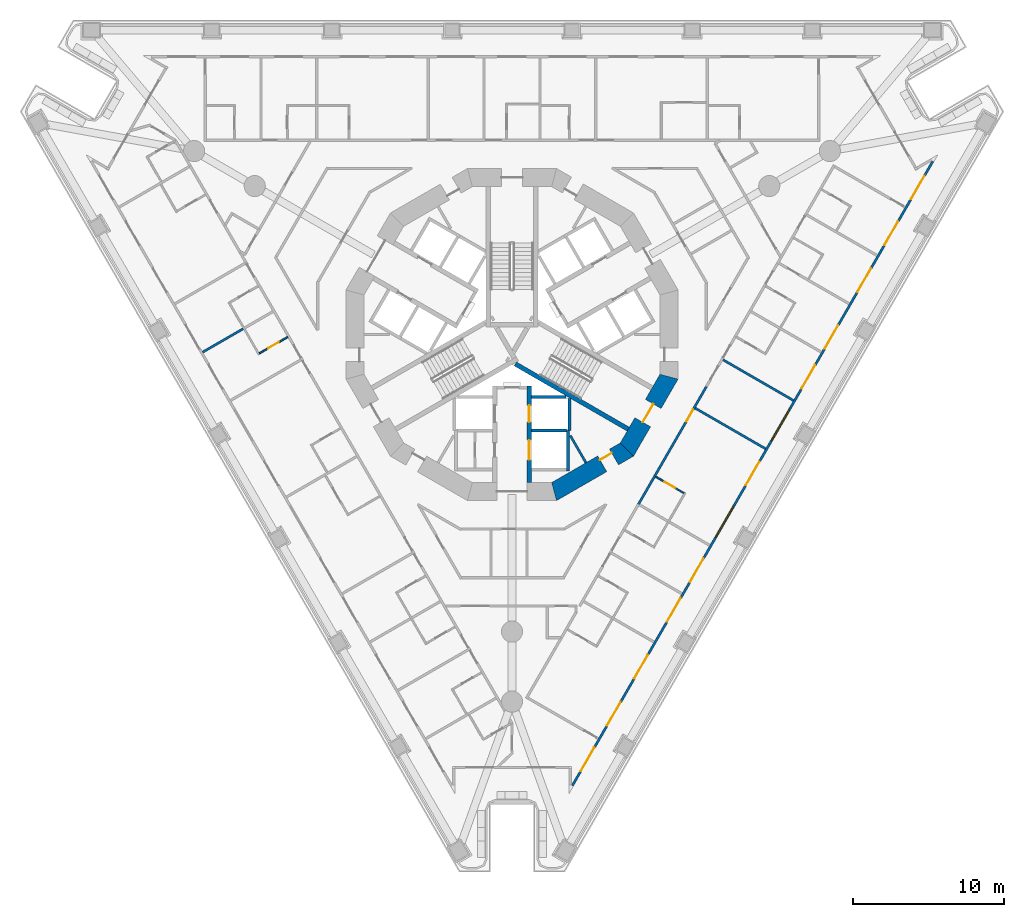
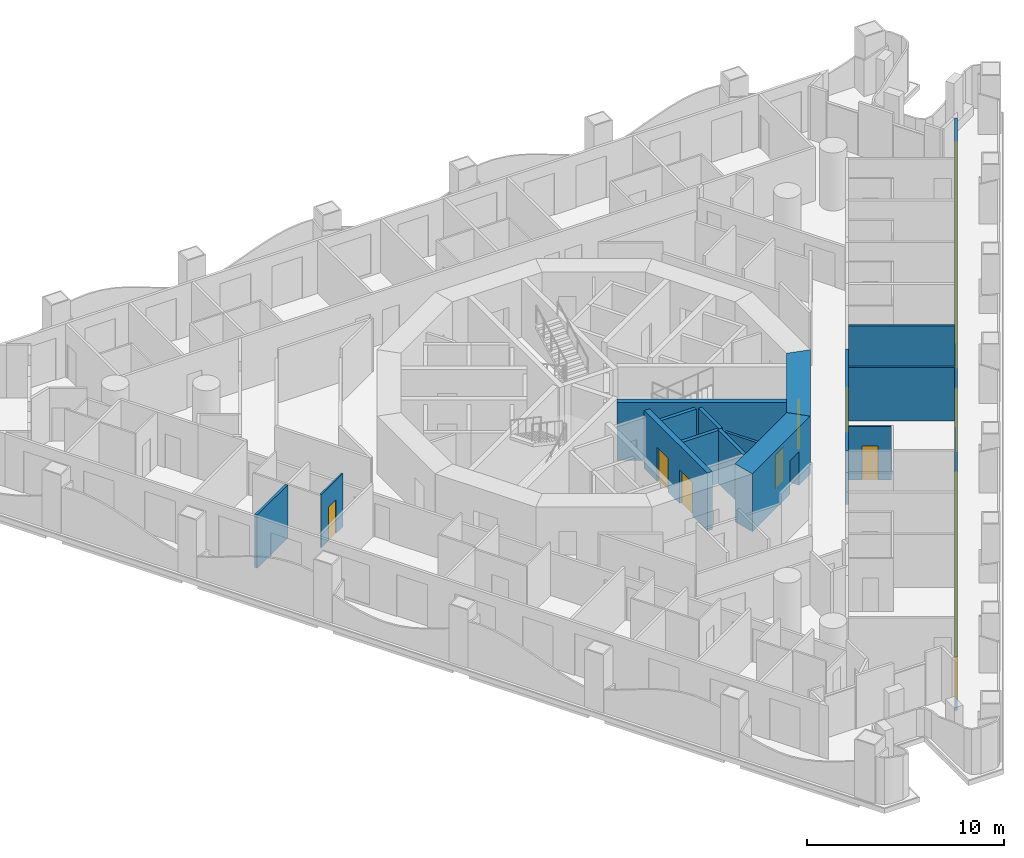
# One storey, part 5 of 20: 18 doors, 16 walls, 2 windows, 20 openings.
"""IFC4 building model written with IfcOpenShell, lengths in metres."""

from ifc_helpers import new_model, si_unit, direction, frame, frame_2d, origin, place, context, subcontext, project, spatial, polyline, rectangle, outline, extrude, material, layer, layer_set, type_object, element, fill, save


model = new_model("IFC4")

# Units and contexts
model_context = context("Model", 3, precision=1e-05, world=origin(), true_north=direction((0.0, 1.0)))
body_context = subcontext(model_context, "Body", "Model", "MODEL_VIEW")
ifc_project = project(units=[si_unit("LENGTHUNIT", "METRE"), si_unit("AREAUNIT", "SQUARE_METRE"), si_unit("VOLUMEUNIT", "CUBIC_METRE"), si_unit("PLANEANGLEUNIT", "RADIAN"), si_unit("MASSUNIT", "GRAM", prefix="KILO")], contexts=[model_context])

# Site, building, storey
site_placement = place(None, origin())
site = spatial("IfcSite", under=ifc_project, at=site_placement, CompositionType="ELEMENT")
building_placement = place(site_placement, origin())
building = spatial("IfcBuilding", under=site, at=building_placement, Name="Trine Commons Tower", CompositionType="ELEMENT")
storey_placement = place(building_placement, frame((0.0, 0.0, 35.10009765625)))
storey = spatial("IfcBuildingStorey", under=building, at=storey_placement, Name="L07", CompositionType="ELEMENT", Elevation=35.10009765625)

# Wall
ifc_material_1 = material(Name="Plasterboard partition on steel studs", Category="steel")
ifc_layer_1 = layer(ifc_material_1, 0.14990234375)
ifc_layer_set_1 = layer_set([ifc_layer_1], Name="Plasterboard partition on steel studs")
wall_type_1 = type_object("IfcWallType", Name="Core room partition 150 mm, EI 60", PredefinedType="PARTITIONING", material=ifc_layer_set_1)
wall_1_placement = place(storey_placement, frame((84.905029296875, 54.0029296875, 0.0), z_axis=(0.0, 0.0, 1.0), x_axis=(-0.5000780968, 0.865980309881, 0.0)))
element("IfcWall", 1, at=wall_1_placement, inside=storey, type_object=wall_type_1, Name="Core room partition L07", PredefinedType="PARTITIONING", context=body_context, shape_type="SweptSolid", body=[
    extrude(rectangle(XDim=2.079833984375, YDim=0.14990234375, at=frame_2d((1.0400390625, 0.0))), origin(), (0.0, 0.0, 1.0), 3.2998046875),
])

# Wall, openings, windows, doors
ifc_material_2 = material(Name="Aluminium-framed insulated wall panel", Category="aluminium")
ifc_layer_2 = layer(ifc_material_2, 0.14990234375)
ifc_layer_set_2 = layer_set([ifc_layer_2], Name="Aluminium-framed insulated wall panel")
wall_type_2 = type_object("IfcWallType", Name="Glazed frame wall 150, EI 60", PredefinedType="SOLIDWALL", material=ifc_layer_set_2)
wall_2_placement = place(storey_placement, frame((107.973388671875, 74.112060546875, 0.0), z_axis=(0.0, 0.0, 1.0), x_axis=(-0.499998600735, -0.866026211649, 0.0)))
wall_2 = element("IfcWall", 2, at=wall_2_placement, inside=storey, type_object=wall_type_2, Name="Glazed frame wall F2", PredefinedType="SOLIDWALL", context=body_context, shape_type="SweptSolid", body=[
    extrude(outline(polyline([(0.1494140625, 0.074951171875), (0.1494140625, -0.074951171875), (47.93701171875, -0.074951171875), (47.93701171875, 0.074951171875), (0.1494140625, 0.074951171875)])), origin(), (0.0, 0.0, 1.0), 3.2998046875),
])
opening_1_placement = place(wall_2_placement, frame((1.24951171875, 0.0, 0.0)))
opening_1 = element("IfcOpeningElement", 3, at=opening_1_placement, cuts=wall_2, Name="Opening BD-1F2-01", PredefinedType="OPENING", context=body_context, shape_type="SweptSolid", body=[
    extrude(rectangle(XDim=1.800048828125, YDim=2.60009765625, at=frame_2d((0.89990234375, 1.300048828125))), frame((0.0, 0.0849609375, 0.0), z_axis=(0.0, -1.0, 0.0), x_axis=(1.0, 0.0, 0.0)), (0.0, 0.0, 1.0), 0.169921875),
])
opening_2_placement = place(wall_2_placement, frame((4.748291015625, 0.0, 0.0)))
opening_2 = element("IfcOpeningElement", 4, at=opening_2_placement, cuts=wall_2, Name="Opening BD-1F2-02", PredefinedType="OPENING", context=body_context, shape_type="SweptSolid", body=[
    extrude(rectangle(XDim=1.800048828125, YDim=2.60009765625, at=frame_2d((0.89990234375, 1.300048828125))), frame((0.0, 0.0849609375, 0.0), z_axis=(0.0, -1.0, 0.0), x_axis=(1.0, 0.0, 0.0)), (0.0, 0.0, 1.0), 0.169921875),
])
opening_3_placement = place(wall_2_placement, frame((8.347412109375, 0.0, 0.0)))
opening_3 = element("IfcOpeningElement", 5, at=opening_3_placement, cuts=wall_2, Name="Opening BD-1F2-03", PredefinedType="OPENING", context=body_context, shape_type="SweptSolid", body=[
    extrude(rectangle(XDim=1.800048828125, YDim=2.60009765625, at=frame_2d((0.89990234375, 1.300048828125))), frame((0.0, 0.0849609375, 0.0), z_axis=(0.0, -1.0, 0.0), x_axis=(1.0, 0.0, 0.0)), (0.0, 0.0, 1.0), 0.169921875),
])
opening_4_placement = place(wall_2_placement, frame((12.69580078125, 0.0, 0.0)))
opening_4 = element("IfcOpeningElement", 6, at=opening_4_placement, cuts=wall_2, Name="Opening BD-1F2-04", PredefinedType="OPENING", context=body_context, shape_type="SweptSolid", body=[
    extrude(rectangle(XDim=1.800048828125, YDim=2.60009765625, at=frame_2d((0.89990234375, 1.300048828125))), frame((0.0, 0.0849609375, 0.0), z_axis=(0.0, -1.0, 0.0), x_axis=(1.0, 0.0, 0.0)), (0.0, 0.0, 1.0), 0.169921875),
])
opening_5_placement = place(wall_2_placement, frame((15.7451171875, 0.0, 0.0)))
opening_5 = element("IfcOpeningElement", 7, at=opening_5_placement, cuts=wall_2, Name="Opening BD-1F2-05", PredefinedType="OPENING", context=body_context, shape_type="SweptSolid", body=[
    extrude(rectangle(XDim=1.800048828125, YDim=2.60009765625, at=frame_2d((0.89990234375, 1.300048828125))), frame((0.0, 0.0849609375, 0.0), z_axis=(0.0, -1.0, 0.0), x_axis=(1.0, 0.0, 0.0)), (0.0, 0.0, 1.0), 0.169921875),
])
opening_6_placement = place(wall_2_placement, frame((19.14404296875, 0.0, 0.14990234375)))
opening_6 = element("IfcOpeningElement", 8, at=opening_6_placement, cuts=wall_2, Name="Opening W-1F2-06", PredefinedType="OPENING", context=body_context, shape_type="SweptSolid", body=[
    extrude(rectangle(XDim=2.39990234375, YDim=2.449951171875, at=frame_2d((1.199951171875, 1.22509765625))), frame((0.0, 0.0849609375, 0.0), z_axis=(0.0, -1.0, 0.0), x_axis=(1.0, 0.0, 0.0)), (0.0, 0.0, 1.0), 0.169921875),
])
opening_7_placement = place(wall_2_placement, frame((23.142822265625, 0.0, 0.0)))
opening_7 = element("IfcOpeningElement", 9, at=opening_7_placement, cuts=wall_2, Name="Opening BD-1F2-07", PredefinedType="OPENING", context=body_context, shape_type="SweptSolid", body=[
    extrude(rectangle(XDim=1.800048828125, YDim=2.60009765625, at=frame_2d((0.89990234375, 1.300048828125))), frame((0.0, 0.0849609375, 0.0), z_axis=(0.0, -1.0, 0.0), x_axis=(1.0, 0.0, 0.0)), (0.0, 0.0, 1.0), 0.169921875),
])
opening_8_placement = place(wall_2_placement, frame((26.541748046875, 0.0, 0.14990234375)))
opening_8 = element("IfcOpeningElement", 10, at=opening_8_placement, cuts=wall_2, Name="Opening W-1F2-08", PredefinedType="OPENING", context=body_context, shape_type="SweptSolid", body=[
    extrude(rectangle(XDim=2.39990234375, YDim=2.449951171875, at=frame_2d((1.199951171875, 1.22509765625))), frame((0.0, 0.0849609375, 0.0), z_axis=(0.0, -1.0, 0.0), x_axis=(1.0, 0.0, 0.0)), (0.0, 0.0, 1.0), 0.169921875),
])
opening_9_placement = place(wall_2_placement, frame((30.54052734375, 0.0, 0.0)))
opening_9 = element("IfcOpeningElement", 11, at=opening_9_placement, cuts=wall_2, Name="Opening BD-1F2-09", PredefinedType="OPENING", context=body_context, shape_type="SweptSolid", body=[
    extrude(rectangle(XDim=1.800048828125, YDim=2.60009765625, at=frame_2d((0.89990234375, 1.300048828125))), frame((0.0, 0.0849609375, 0.0), z_axis=(0.0, -1.0, 0.0), x_axis=(1.0, 0.0, 0.0)), (0.0, 0.0, 1.0), 0.169921875),
])
opening_10_placement = place(wall_2_placement, frame((33.590087890625, 0.0, 0.0)))
opening_10 = element("IfcOpeningElement", 12, at=opening_10_placement, cuts=wall_2, Name="Opening BD-1F2-10", PredefinedType="OPENING", context=body_context, shape_type="SweptSolid", body=[
    extrude(rectangle(XDim=1.800048828125, YDim=2.60009765625, at=frame_2d((0.89990234375, 1.300048828125))), frame((0.0, 0.0849609375, 0.0), z_axis=(0.0, -1.0, 0.0), x_axis=(1.0, 0.0, 0.0)), (0.0, 0.0, 1.0), 0.169921875),
])
opening_11_placement = place(wall_2_placement, frame((37.9384765625, 0.0, 0.0)))
opening_11 = element("IfcOpeningElement", 13, at=opening_11_placement, cuts=wall_2, Name="Opening BD-1F2-11", PredefinedType="OPENING", context=body_context, shape_type="SweptSolid", body=[
    extrude(rectangle(XDim=1.800048828125, YDim=2.60009765625, at=frame_2d((0.89990234375, 1.300048828125))), frame((0.0, 0.0849609375, 0.0), z_axis=(0.0, -1.0, 0.0), x_axis=(1.0, 0.0, 0.0)), (0.0, 0.0, 1.0), 0.169921875),
])
opening_12_placement = place(wall_2_placement, frame((41.537353515625, 0.0, 0.0)))
opening_12 = element("IfcOpeningElement", 14, at=opening_12_placement, cuts=wall_2, Name="Opening BD-1F2-12", PredefinedType="OPENING", context=body_context, shape_type="SweptSolid", body=[
    extrude(rectangle(XDim=1.800048828125, YDim=2.60009765625, at=frame_2d((0.89990234375, 1.300048828125))), frame((0.0, 0.0849609375, 0.0), z_axis=(0.0, -1.0, 0.0), x_axis=(1.0, 0.0, 0.0)), (0.0, 0.0, 1.0), 0.169921875),
])
opening_13_placement = place(wall_2_placement, frame((45.036376953125, 0.0, 0.0)))
opening_13 = element("IfcOpeningElement", 15, at=opening_13_placement, cuts=wall_2, Name="Opening BD-1F2-13", PredefinedType="OPENING", context=body_context, shape_type="SweptSolid", body=[
    extrude(rectangle(XDim=1.800048828125, YDim=2.60009765625, at=frame_2d((0.89990234375, 1.300048828125))), frame((0.0, 0.0849609375, 0.0), z_axis=(0.0, -1.0, 0.0), x_axis=(1.0, 0.0, 0.0)), (0.0, 0.0, 1.0), 0.169921875),
])
ifc_material_3 = material(Name="Anodised aluminium frame with double glazing", Category="aluminium")
window_type = type_object("IfcWindowType", Name="Fixed window 2400x2450", PartitioningType="SINGLE_PANEL", PredefinedType="WINDOW", material=ifc_material_3)
window_1_placement = place(opening_6_placement, origin())
window_1 = element("IfcWindow", 16, at=window_1_placement, inside=storey, type_object=window_type, Name="Window F2 6", OverallHeight=2.449951171875, OverallWidth=2.39990234375, PartitioningType="SINGLE_PANEL", PredefinedType="WINDOW", context=body_context, shape_type="SweptSolid", body=[
    extrude(rectangle(XDim=2.39990234375, YDim=2.449951171875, at=frame_2d((1.199951171875, 1.22509765625))), frame((0.0, 0.030029296875, 0.0), z_axis=(0.0, -1.0, 0.0), x_axis=(1.0, 0.0, 0.0)), (0.0, 0.0, 1.0), 0.06005859375),
])
fill(opening_6, window_1)
window_2_placement = place(opening_8_placement, origin())
window_2 = element("IfcWindow", 17, at=window_2_placement, inside=storey, type_object=window_type, Name="Window F2 8", OverallHeight=2.449951171875, OverallWidth=2.39990234375, PartitioningType="SINGLE_PANEL", PredefinedType="WINDOW", context=body_context, shape_type="SweptSolid", body=[
    extrude(rectangle(XDim=2.39990234375, YDim=2.449951171875, at=frame_2d((1.199951171875, 1.22509765625))), frame((0.0, 0.030029296875, 0.0), z_axis=(0.0, -1.0, 0.0), x_axis=(1.0, 0.0, 0.0)), (0.0, 0.0, 1.0), 0.06005859375),
])
fill(opening_8, window_2)
door_type_1 = type_object("IfcDoorType", Name="Sliding loggia door 1800x2600", OperationType="SLIDING_TO_LEFT", PredefinedType="DOOR", material=ifc_material_3)
door_1_placement = place(opening_1_placement, origin())
door_1 = element("IfcDoor", 18, at=door_1_placement, inside=storey, type_object=door_type_1, Name="Loggia door F2 1", OperationType="SLIDING_TO_LEFT", OverallHeight=2.60009765625, OverallWidth=1.800048828125, PredefinedType="DOOR", context=body_context, shape_type="SweptSolid", body=[
    extrude(rectangle(XDim=1.800048828125, YDim=2.60009765625, at=frame_2d((0.89990234375, 1.300048828125))), frame((0.0, 0.02490234375, 0.0), z_axis=(0.0, -1.0, 0.0), x_axis=(1.0, 0.0, 0.0)), (0.0, 0.0, 1.0), 0.050048828125),
])
fill(opening_1, door_1)
door_2_placement = place(opening_2_placement, origin())
door_2 = element("IfcDoor", 19, at=door_2_placement, inside=storey, type_object=door_type_1, Name="Loggia door F2 2", OperationType="SLIDING_TO_LEFT", OverallHeight=2.60009765625, OverallWidth=1.800048828125, PredefinedType="DOOR", context=body_context, shape_type="SweptSolid", body=[
    extrude(rectangle(XDim=1.800048828125, YDim=2.60009765625, at=frame_2d((0.89990234375, 1.300048828125))), frame((0.0, 0.02490234375, 0.0), z_axis=(0.0, -1.0, 0.0), x_axis=(1.0, 0.0, 0.0)), (0.0, 0.0, 1.0), 0.050048828125),
])
fill(opening_2, door_2)
door_3_placement = place(opening_3_placement, origin())
door_3 = element("IfcDoor", 20, at=door_3_placement, inside=storey, type_object=door_type_1, Name="Loggia door F2 3", OperationType="SLIDING_TO_LEFT", OverallHeight=2.60009765625, OverallWidth=1.800048828125, PredefinedType="DOOR", context=body_context, shape_type="SweptSolid", body=[
    extrude(rectangle(XDim=1.800048828125, YDim=2.60009765625, at=frame_2d((0.89990234375, 1.300048828125))), frame((0.0, 0.02490234375, 0.0), z_axis=(0.0, -1.0, 0.0), x_axis=(1.0, 0.0, 0.0)), (0.0, 0.0, 1.0), 0.050048828125),
])
fill(opening_3, door_3)
door_4_placement = place(opening_4_placement, origin())
door_4 = element("IfcDoor", 21, at=door_4_placement, inside=storey, type_object=door_type_1, Name="Loggia door F2 4", OperationType="SLIDING_TO_LEFT", OverallHeight=2.60009765625, OverallWidth=1.800048828125, PredefinedType="DOOR", context=body_context, shape_type="SweptSolid", body=[
    extrude(rectangle(XDim=1.800048828125, YDim=2.60009765625, at=frame_2d((0.89990234375, 1.300048828125))), frame((0.0, 0.02490234375, 0.0), z_axis=(0.0, -1.0, 0.0), x_axis=(1.0, 0.0, 0.0)), (0.0, 0.0, 1.0), 0.050048828125),
])
fill(opening_4, door_4)
door_5_placement = place(opening_5_placement, origin())
door_5 = element("IfcDoor", 22, at=door_5_placement, inside=storey, type_object=door_type_1, Name="Loggia door F2 5", OperationType="SLIDING_TO_LEFT", OverallHeight=2.60009765625, OverallWidth=1.800048828125, PredefinedType="DOOR", context=body_context, shape_type="SweptSolid", body=[
    extrude(rectangle(XDim=1.800048828125, YDim=2.60009765625, at=frame_2d((0.89990234375, 1.300048828125))), frame((0.0, 0.02490234375, 0.0), z_axis=(0.0, -1.0, 0.0), x_axis=(1.0, 0.0, 0.0)), (0.0, 0.0, 1.0), 0.050048828125),
])
fill(opening_5, door_5)
door_6_placement = place(opening_7_placement, origin())
door_6 = element("IfcDoor", 23, at=door_6_placement, inside=storey, type_object=door_type_1, Name="Loggia door F2 7", OperationType="SLIDING_TO_LEFT", OverallHeight=2.60009765625, OverallWidth=1.800048828125, PredefinedType="DOOR", context=body_context, shape_type="SweptSolid", body=[
    extrude(rectangle(XDim=1.800048828125, YDim=2.60009765625, at=frame_2d((0.89990234375, 1.300048828125))), frame((0.0, 0.02490234375, 0.0), z_axis=(0.0, -1.0, 0.0), x_axis=(1.0, 0.0, 0.0)), (0.0, 0.0, 1.0), 0.050048828125),
])
fill(opening_7, door_6)
door_7_placement = place(opening_9_placement, origin())
door_7 = element("IfcDoor", 24, at=door_7_placement, inside=storey, type_object=door_type_1, Name="Loggia door F2 9", OperationType="SLIDING_TO_LEFT", OverallHeight=2.60009765625, OverallWidth=1.800048828125, PredefinedType="DOOR", context=body_context, shape_type="SweptSolid", body=[
    extrude(rectangle(XDim=1.800048828125, YDim=2.60009765625, at=frame_2d((0.89990234375, 1.300048828125))), frame((0.0, 0.02490234375, 0.0), z_axis=(0.0, -1.0, 0.0), x_axis=(1.0, 0.0, 0.0)), (0.0, 0.0, 1.0), 0.050048828125),
])
fill(opening_9, door_7)
door_8_placement = place(opening_10_placement, origin())
door_8 = element("IfcDoor", 25, at=door_8_placement, inside=storey, type_object=door_type_1, Name="Loggia door F2 10", OperationType="SLIDING_TO_LEFT", OverallHeight=2.60009765625, OverallWidth=1.800048828125, PredefinedType="DOOR", context=body_context, shape_type="SweptSolid", body=[
    extrude(rectangle(XDim=1.800048828125, YDim=2.60009765625, at=frame_2d((0.89990234375, 1.300048828125))), frame((0.0, 0.02490234375, 0.0), z_axis=(0.0, -1.0, 0.0), x_axis=(1.0, 0.0, 0.0)), (0.0, 0.0, 1.0), 0.050048828125),
])
fill(opening_10, door_8)
door_9_placement = place(opening_11_placement, origin())
door_9 = element("IfcDoor", 26, at=door_9_placement, inside=storey, type_object=door_type_1, Name="Loggia door F2 11", OperationType="SLIDING_TO_LEFT", OverallHeight=2.60009765625, OverallWidth=1.800048828125, PredefinedType="DOOR", context=body_context, shape_type="SweptSolid", body=[
    extrude(rectangle(XDim=1.800048828125, YDim=2.60009765625, at=frame_2d((0.89990234375, 1.300048828125))), frame((0.0, 0.02490234375, 0.0), z_axis=(0.0, -1.0, 0.0), x_axis=(1.0, 0.0, 0.0)), (0.0, 0.0, 1.0), 0.050048828125),
])
fill(opening_11, door_9)
door_10_placement = place(opening_12_placement, origin())
door_10 = element("IfcDoor", 27, at=door_10_placement, inside=storey, type_object=door_type_1, Name="Loggia door F2 12", OperationType="SLIDING_TO_LEFT", OverallHeight=2.60009765625, OverallWidth=1.800048828125, PredefinedType="DOOR", context=body_context, shape_type="SweptSolid", body=[
    extrude(rectangle(XDim=1.800048828125, YDim=2.60009765625, at=frame_2d((0.89990234375, 1.300048828125))), frame((0.0, 0.02490234375, 0.0), z_axis=(0.0, -1.0, 0.0), x_axis=(1.0, 0.0, 0.0)), (0.0, 0.0, 1.0), 0.050048828125),
])
fill(opening_12, door_10)
door_11_placement = place(opening_13_placement, origin())
door_11 = element("IfcDoor", 28, at=door_11_placement, inside=storey, type_object=door_type_1, Name="Loggia door F2 13", OperationType="SLIDING_TO_LEFT", OverallHeight=2.60009765625, OverallWidth=1.800048828125, PredefinedType="DOOR", context=body_context, shape_type="SweptSolid", body=[
    extrude(rectangle(XDim=1.800048828125, YDim=2.60009765625, at=frame_2d((0.89990234375, 1.300048828125))), frame((0.0, 0.02490234375, 0.0), z_axis=(0.0, -1.0, 0.0), x_axis=(1.0, 0.0, 0.0)), (0.0, 0.0, 1.0), 0.050048828125),
])
fill(opening_13, door_11)

# Wall, opening, door
ifc_material_4 = material(Name="Concrete C80/95", Category="concrete")
ifc_layer_3 = layer(ifc_material_4, 1.199951171875)
ifc_layer_set_3 = layer_set([ifc_layer_3], Name="Concrete C80/95")
wall_type_3 = type_object("IfcWallType", Name="RC shear wall 1200 mm, C80/95", PredefinedType="SHEAR", material=ifc_layer_set_3)
wall_3_placement = place(storey_placement, frame((82.650390625, 52.008056640625, 0.0), z_axis=(0.0, 0.0, 1.0), x_axis=(0.866037463336, 0.499979111662, 0.0)))
wall_3 = element("IfcWall", 29, at=wall_3_placement, inside=storey, type_object=wall_type_3, Name="Core wall CWA-11 L07", PredefinedType="SHEAR", context=body_context, shape_type="SweptSolid", body=[
    extrude(outline(polyline([(0.0, -0.60009765625), (5.901123046875, -0.60009765625), (5.57958984375, 0.60009765625), (0.321533203125, 0.60009765625), (0.0, -0.60009765625)])), origin(), (0.0, 0.0, 1.0), 3.599853515625),
])
opening_14_placement = place(wall_3_placement, frame((3.849853515625, 0.0, 0.0)))
opening_14 = element("IfcOpeningElement", 30, at=opening_14_placement, cuts=wall_3, Name="Opening K06.16", PredefinedType="OPENING", context=body_context, shape_type="SweptSolid", body=[
    extrude(rectangle(XDim=0.89990234375, YDim=2.10009765625, at=frame_2d((0.449951171875, 1.050048828125))), frame((0.0, 0.60986328125, 0.0), z_axis=(0.0, -1.0, 0.0), x_axis=(1.0, 0.0, 0.0)), (0.0, 0.0, 1.0), 1.219970703125),
])
ifc_material_5 = material(Name="Steel door leaf, fire-rated", Category="steel")
door_type_2 = type_object("IfcDoorType", Name="Core room door, single leaf 900 x 2100, FD30S", OperationType="SINGLE_SWING_LEFT", PredefinedType="DOOR", material=ifc_material_5)
door_12_placement = place(opening_14_placement, origin())
door_12 = element("IfcDoor", 31, at=door_12_placement, inside=storey, type_object=door_type_2, Name="Door to Cleaner's store L07", OperationType="SINGLE_SWING_RIGHT", OverallHeight=2.10009765625, OverallWidth=0.89990234375, PredefinedType="DOOR", context=body_context, shape_type="SweptSolid", body=[
    extrude(rectangle(XDim=0.89990234375, YDim=2.10009765625, at=frame_2d((0.449951171875, 1.050048828125))), frame((0.0, 0.3251953125, 0.0), z_axis=(0.0, -1.0, 0.0), x_axis=(1.0, 0.0, 0.0)), (0.0, 0.0, 1.0), 0.050048828125),
])
fill(opening_14, door_12)

wall_4_placement = place(storey_placement, frame((87.54150390625, 54.739013671875, 0.0), z_axis=(0.0, 0.0, 1.0), x_axis=(0.499979111662, 0.866037463336, 0.0)))
wall_4 = element("IfcWall", 32, at=wall_4_placement, inside=storey, type_object=wall_type_3, Name="Core wall CWA-12 L07", PredefinedType="SHEAR", context=body_context, shape_type="SweptSolid", body=[
    extrude(outline(polyline([(0.0, -0.60009765625), (5.901123046875, -0.60009765625), (5.57958984375, 0.60009765625), (0.321533203125, 0.60009765625), (0.0, -0.60009765625)])), origin(), (0.0, 0.0, 1.0), 3.599853515625),
])
opening_15_placement = place(wall_4_placement, frame((2.25048828125, 0.0, 0.0)))
opening_15 = element("IfcOpeningElement", 33, at=opening_15_placement, cuts=wall_4, Name="Opening K06.03", PredefinedType="OPENING", context=body_context, shape_type="SweptSolid", body=[
    extrude(rectangle(XDim=1.39990234375, YDim=2.10009765625, at=frame_2d((0.699951171875, 1.050048828125))), frame((0.0, 0.60986328125, 0.0), z_axis=(0.0, -1.0, 0.0), x_axis=(1.0, 0.0, 0.0)), (0.0, 0.0, 1.0), 1.219970703125),
])
ifc_material_6 = material(Name="Steel door leaves, fire-rated", Category="steel")
door_type_3 = type_object("IfcDoorType", Name="Stair door, double leaf 1400 x 2100, FD90", OperationType="DOUBLE_DOOR_SINGLE_SWING", PredefinedType="DOOR", material=ifc_material_6)
door_13_placement = place(opening_15_placement, origin())
door_13 = element("IfcDoor", 34, at=door_13_placement, inside=storey, type_object=door_type_3, Name="Stair door to Exit stair ST3A L07", OperationType="DOUBLE_DOOR_SINGLE_SWING", OverallHeight=2.10009765625, OverallWidth=1.39990234375, PredefinedType="DOOR", context=body_context, shape_type="SweptSolid", body=[
    extrude(rectangle(XDim=1.39990234375, YDim=2.10009765625, at=frame_2d((0.699951171875, 1.050048828125))), frame((0.0, 0.02490234375, 0.0), z_axis=(0.0, -1.0, 0.0), x_axis=(1.0, 0.0, 0.0)), (0.0, 0.0, 1.0), 0.050048828125),
])
fill(opening_15, door_13)

# Wall, openings, doors
ifc_layer_4 = layer(ifc_material_4, 0.300048828125)
ifc_layer_set_4 = layer_set([ifc_layer_4], Name="Concrete C80/95")
wall_type_4 = type_object("IfcWallType", Name="RC shear wall 300 mm, C80/95", PredefinedType="SHEAR", material=ifc_layer_set_4)
wall_5_placement = place(storey_placement, frame((81.14990234375, 59.10009765625, 0.0), z_axis=(0.0, 0.0, 1.0), x_axis=(0.0, -1.0, 0.0)))
wall_5 = element("IfcWall", 35, at=wall_5_placement, inside=storey, type_object=wall_type_4, Name="Core cross wall SWA-04 L07", PredefinedType="SHEAR", context=body_context, shape_type="SweptSolid", body=[
    extrude(rectangle(XDim=6.412109375, YDim=0.300048828125, at=frame_2d((3.2060546875, 0.0))), origin(), (0.0, 0.0, 1.0), 3.599853515625),
])
opening_16_placement = place(wall_5_placement, frame((3.60009765625, 0.0, 0.0)))
opening_16 = element("IfcOpeningElement", 36, at=opening_16_placement, cuts=wall_5, Name="Opening LD11", PredefinedType="OPENING", context=body_context, shape_type="SweptSolid", body=[
    extrude(rectangle(XDim=1.300048828125, YDim=2.10009765625, at=frame_2d((0.64990234375, 1.050048828125))), frame((0.0, 0.159912109375, 0.0), z_axis=(0.0, -1.0, 0.0), x_axis=(1.0, 0.0, 0.0)), (0.0, 0.0, 1.0), 0.320068359375),
])
opening_17_placement = place(wall_5_placement, frame((1.300048828125, 0.0, 0.0)))
opening_17 = element("IfcOpeningElement", 37, at=opening_17_placement, cuts=wall_5, Name="Opening LD9", PredefinedType="OPENING", context=body_context, shape_type="SweptSolid", body=[
    extrude(rectangle(XDim=1.10009765625, YDim=2.10009765625, at=frame_2d((0.550048828125, 1.050048828125))), frame((0.0, 0.159912109375, 0.0), z_axis=(0.0, -1.0, 0.0), x_axis=(1.0, 0.0, 0.0)), (0.0, 0.0, 1.0), 0.320068359375),
])
ifc_material_7 = material(Name="Stainless steel sliding door leaves", Category="steel")
door_type_4 = type_object("IfcDoorType", Name="Lift landing door, centre-opening sliding 1100 x 2100, FD90", OperationType="DOUBLE_DOOR_SLIDING", PredefinedType="DOOR", material=ifc_material_7)
door_14_placement = place(opening_17_placement, origin())
door_14 = element("IfcDoor", 38, at=door_14_placement, inside=storey, type_object=door_type_4, Name="Lift landing door FF1 L07", OperationType="DOUBLE_DOOR_SLIDING", OverallHeight=2.10009765625, OverallWidth=1.10009765625, PredefinedType="DOOR", context=body_context, shape_type="SweptSolid", body=[
    extrude(rectangle(XDim=1.10009765625, YDim=2.10009765625, at=frame_2d((0.550048828125, 1.050048828125))), frame((0.0, 0.02490234375, 0.0), z_axis=(0.0, -1.0, 0.0), x_axis=(1.0, 0.0, 0.0)), (0.0, 0.0, 1.0), 0.050048828125),
])
fill(opening_17, door_14)
door_type_5 = type_object("IfcDoorType", Name="Lift landing door, centre-opening sliding 1300 x 2100, FD90", OperationType="DOUBLE_DOOR_SLIDING", PredefinedType="DOOR", material=ifc_material_7)
door_15_placement = place(opening_16_placement, origin())
door_15 = element("IfcDoor", 39, at=door_15_placement, inside=storey, type_object=door_type_5, Name="Lift landing door G1 L07", OperationType="DOUBLE_DOOR_SLIDING", OverallHeight=2.10009765625, OverallWidth=1.300048828125, PredefinedType="DOOR", context=body_context, shape_type="SweptSolid", body=[
    extrude(rectangle(XDim=1.300048828125, YDim=2.10009765625, at=frame_2d((0.64990234375, 1.050048828125))), frame((0.0, 0.02490234375, 0.0), z_axis=(0.0, -1.0, 0.0), x_axis=(1.0, 0.0, 0.0)), (0.0, 0.0, 1.0), 0.050048828125),
])
fill(opening_16, door_15)

# Walls
wall_6_placement = place(storey_placement, frame((80.22509765625, 60.552001953125, 0.0), z_axis=(0.0, 0.0, 1.0), x_axis=(0.865965399159, -0.500103916661, 0.0)))
element("IfcWall", 40, at=wall_6_placement, inside=storey, type_object=wall_type_4, Name="Core cross wall SWA-13 L07", PredefinedType="SHEAR", context=body_context, shape_type="SweptSolid", body=[
    extrude(rectangle(XDim=8.642333984375, YDim=0.300048828125, at=frame_2d((4.3212890625, 0.0))), origin(), (0.0, 0.0, 1.0), 3.599853515625),
])
ifc_material_8 = material(Name="Fire-rated gypsum shaft wall system")
ifc_layer_5 = layer(ifc_material_8, 0.199951171875)
ifc_layer_set_5 = layer_set([ifc_layer_5], Name="Fire-rated gypsum shaft wall system")
wall_type_5 = type_object("IfcWallType", Name="Shaft wall 200 mm, EI 120", PredefinedType="PARTITIONING", material=ifc_layer_set_5)
wall_7_placement = place(storey_placement, frame((81.300048828125, 56.14990234375, 0.0), z_axis=(0.0, 0.0, 1.0), x_axis=(1.0, 0.0, 0.0)))
element("IfcWall", 41, at=wall_7_placement, inside=storey, type_object=wall_type_5, Name="Shaft wall L07", PredefinedType="PARTITIONING", context=body_context, shape_type="SweptSolid", body=[
    extrude(rectangle(XDim=2.300048828125, YDim=0.199951171875, at=frame_2d((1.14990234375, 0.0))), origin(), (0.0, 0.0, 1.0), 3.2998046875),
])
wall_8_placement = place(storey_placement, frame((81.300048828125, 58.35009765625, 0.0), z_axis=(0.0, 0.0, 1.0), x_axis=(1.0, 0.0, 0.0)))
element("IfcWall", 42, at=wall_8_placement, inside=storey, type_object=wall_type_5, Name="Shaft wall L07", PredefinedType="PARTITIONING", context=body_context, shape_type="SweptSolid", body=[
    extrude(rectangle(XDim=2.264892578125, YDim=0.199951171875, at=frame_2d((1.13232421875, 0.0))), origin(), (0.0, 0.0, 1.0), 3.2998046875),
])
wall_9_placement = place(storey_placement, frame((83.699951171875, 56.14990234375, 0.0), z_axis=(0.0, 0.0, 1.0), x_axis=(0.0, -1.0, 0.0)))
element("IfcWall", 43, at=wall_9_placement, inside=storey, type_object=wall_type_5, Name="Shaft wall L07", PredefinedType="PARTITIONING", context=body_context, shape_type="SweptSolid", body=[
    extrude(rectangle(XDim=2.699951171875, YDim=0.199951171875, at=frame_2d((1.35009765625, 0.0))), origin(), (0.0, 0.0, 1.0), 3.2998046875),
])
wall_10_placement = place(storey_placement, frame((83.800048828125, 58.256103515625, 0.0), z_axis=(0.0, 0.0, 1.0), x_axis=(0.0, -1.0, 0.0)))
element("IfcWall", 44, at=wall_10_placement, inside=storey, type_object=wall_type_5, Name="Shaft wall L07", PredefinedType="PARTITIONING", context=body_context, shape_type="SweptSolid", body=[
    extrude(rectangle(XDim=2.106201171875, YDim=0.199951171875, at=frame_2d((1.05322265625, 0.0))), origin(), (0.0, 0.0, 1.0), 3.2998046875),
])
ifc_material_9 = material(Name="Gypsum plasterboard on steel stud", Category="steel")
ifc_layer_6 = layer(ifc_material_9, 0.14990234375)
ifc_layer_set_6 = layer_set([ifc_layer_6], Name="Gypsum plasterboard on steel stud")
wall_type_6 = type_object("IfcWallType", Name="Unit and corridor wall 150 mm, EI 60", PredefinedType="PARTITIONING", material=ifc_layer_set_6)
wall_11_placement = place(storey_placement, frame((59.489501953125, 61.3359375, 0.0), z_axis=(0.0, 0.0, 1.0), x_axis=(0.866074421339, 0.499915089492, 0.0)))
element("IfcWall", 45, at=wall_11_placement, inside=storey, type_object=wall_type_6, Name="Partition 011", PredefinedType="PARTITIONING", context=body_context, shape_type="SweptSolid", body=[
    extrude(rectangle(XDim=3.1083984375, YDim=0.14990234375, at=frame_2d((1.55419921875, 0.0))), origin(), (0.0, 0.0, 1.0), 3.2998046875),
])

# Wall, opening, door
wall_12_placement = place(storey_placement, frame((88.347412109375, 51.18408203125, 0.0), z_axis=(0.0, 0.0, 1.0), x_axis=(0.499985477122, 0.866033788409, 0.0)))
wall_12 = element("IfcWall", 46, at=wall_12_placement, inside=storey, type_object=wall_type_6, Name="Partition 096", PredefinedType="PARTITIONING", context=body_context, shape_type="SweptSolid", body=[
    extrude(rectangle(XDim=9.079345703125, YDim=0.14990234375, at=frame_2d((4.53955078125, 0.0))), origin(), (0.0, 0.0, 1.0), 3.2998046875),
])
opening_18_placement = place(wall_12_placement, frame((6.42626953125, 0.0, 0.0)))
opening_18 = element("IfcOpeningElement", 47, at=opening_18_placement, cuts=wall_12, Name="Opening D-1A20", PredefinedType="OPENING", context=body_context, shape_type="SweptSolid", body=[
    extrude(rectangle(XDim=0.89990234375, YDim=2.10009765625, at=frame_2d((0.449951171875, 1.050048828125))), frame((0.0, 0.0849609375, 0.0), z_axis=(0.0, -1.0, 0.0), x_axis=(1.0, 0.0, 0.0)), (0.0, 0.0, 1.0), 0.169921875),
])
ifc_material_10 = material(Name="Timber fire door set", Category="wood")
door_type_6 = type_object("IfcDoorType", Name="Bedroom door 900 x 2100, FD30S", OperationType="NOTDEFINED", PredefinedType="DOOR", material=ifc_material_10)
door_16_placement = place(opening_18_placement, frame((0.89990234375, 0.0, 0.0), z_axis=(0.0, 0.0, 1.0), x_axis=(-1.0, 0.0, 0.0)))
door_16 = element("IfcDoor", 48, at=door_16_placement, inside=storey, type_object=door_type_6, Name="Door D-1A20", OperationType="SINGLE_SWING_LEFT", OverallHeight=2.10009765625, OverallWidth=0.89990234375, PredefinedType="DOOR", context=body_context, shape_type="SweptSolid", body=[
    extrude(rectangle(XDim=0.89990234375, YDim=2.10009765625, at=frame_2d((0.449951171875, 1.050048828125))), frame((0.0, 0.02490234375, 0.0), z_axis=(0.0, -1.0, 0.0), x_axis=(1.0, 0.0, 0.0)), (0.0, 0.0, 1.0), 0.050048828125),
])
fill(opening_18, door_16)

# Walls
wall_13_placement = place(storey_placement, frame((92.14990234375, 57.62158203125, 0.0), z_axis=(0.0, 0.0, 1.0), x_axis=(0.865992970276, -0.500056172277, 0.0)))
element("IfcWall", 49, at=wall_13_placement, inside=storey, type_object=wall_type_6, Name="Partition 105", PredefinedType="PARTITIONING", context=body_context, shape_type="SweptSolid", body=[
    extrude(rectangle(XDim=5.3828125, YDim=0.14990234375, at=frame_2d((2.69140625, 0.0))), origin(), (0.0, 0.0, 1.0), 3.2998046875),
])
wall_14_placement = place(storey_placement, frame((93.9990234375, 60.824462890625, 0.0), z_axis=(0.0, 0.0, 1.0), x_axis=(0.866057962423, -0.499943602543, 0.0)))
element("IfcWall", 50, at=wall_14_placement, inside=storey, type_object=wall_type_6, Name="Partition 114", PredefinedType="PARTITIONING", context=body_context, shape_type="SweptSolid", body=[
    extrude(rectangle(XDim=5.38330078125, YDim=0.14990234375, at=frame_2d((2.691650390625, 0.0))), origin(), (0.0, 0.0, 1.0), 3.2998046875),
])

# Wall, opening, door
ifc_layer_7 = layer(ifc_material_9, 0.10009765625)
ifc_layer_set_7 = layer_set([ifc_layer_7], Name="Gypsum plasterboard on steel stud")
wall_type_7 = type_object("IfcWallType", Name="Unit partition 100 mm, no rating", PredefinedType="PARTITIONING", material=ifc_layer_set_7)
wall_15_placement = place(storey_placement, frame((63.243408203125, 61.2509765625, 0.0), z_axis=(0.0, 0.0, 1.0), x_axis=(0.865953691597, 0.500124188586, 0.0)))
wall_15 = element("IfcWall", 51, at=wall_15_placement, inside=storey, type_object=wall_type_7, Name="Partition 026", PredefinedType="PARTITIONING", context=body_context, shape_type="SweptSolid", body=[
    extrude(rectangle(XDim=2.17431640625, YDim=0.10009765625, at=frame_2d((1.087158203125, 0.0))), origin(), (0.0, 0.0, 1.0), 3.2998046875),
])
opening_19_placement = place(wall_15_placement, frame((0.68701171875, 0.0, 0.0)))
opening_19 = element("IfcOpeningElement", 52, at=opening_19_placement, cuts=wall_15, Name="Opening D-1A62", PredefinedType="OPENING", context=body_context, shape_type="SweptSolid", body=[
    extrude(rectangle(XDim=0.800048828125, YDim=2.10009765625, at=frame_2d((0.39990234375, 1.050048828125))), frame((0.0, 0.06005859375, 0.0), z_axis=(0.0, -1.0, 0.0), x_axis=(1.0, 0.0, 0.0)), (0.0, 0.0, 1.0), 0.1201171875),
])
ifc_material_11 = material(Name="Painted timber", Category="wood")
door_type_7 = type_object("IfcDoorType", Name="Internal door 800 x 2100, NOT RATED", OperationType="NOTDEFINED", PredefinedType="DOOR", material=ifc_material_11)
door_17_placement = place(opening_19_placement, frame((0.800048828125, 0.0, 0.0), z_axis=(0.0, 0.0, 1.0), x_axis=(-1.0, 0.0, 0.0)))
door_17 = element("IfcDoor", 53, at=door_17_placement, inside=storey, type_object=door_type_7, Name="Door D-1A62", OperationType="SINGLE_SWING_RIGHT", OverallHeight=2.10009765625, OverallWidth=0.800048828125, PredefinedType="DOOR", context=body_context, shape_type="SweptSolid", body=[
    extrude(rectangle(XDim=0.800048828125, YDim=2.10009765625, at=frame_2d((0.39990234375, 1.050048828125))), frame((0.0, 0.02490234375, 0.0), z_axis=(0.0, -1.0, 0.0), x_axis=(1.0, 0.0, 0.0)), (0.0, 0.0, 1.0), 0.050048828125),
])
fill(opening_19, door_17)

wall_16_placement = place(storey_placement, frame((89.52587890625, 53.076416015625, 0.0), z_axis=(0.0, 0.0, 1.0), x_axis=(0.866065968399, -0.499929733443, 0.0)))
wall_16 = element("IfcWall", 54, at=wall_16_placement, inside=storey, type_object=wall_type_7, Name="Partition 100", PredefinedType="PARTITIONING", context=body_context, shape_type="SweptSolid", body=[
    extrude(rectangle(XDim=2.175048828125, YDim=0.10009765625, at=frame_2d((1.08740234375, 0.0))), origin(), (0.0, 0.0, 1.0), 3.2998046875),
])
opening_20_placement = place(wall_16_placement, frame((0.6875, 0.0, 0.0)))
opening_20 = element("IfcOpeningElement", 55, at=opening_20_placement, cuts=wall_16, Name="Opening D-1A52", PredefinedType="OPENING", context=body_context, shape_type="SweptSolid", body=[
    extrude(rectangle(XDim=0.800048828125, YDim=2.10009765625, at=frame_2d((0.39990234375, 1.050048828125))), frame((0.0, 0.06005859375, 0.0), z_axis=(0.0, -1.0, 0.0), x_axis=(1.0, 0.0, 0.0)), (0.0, 0.0, 1.0), 0.1201171875),
])
door_18_placement = place(opening_20_placement, origin())
door_18 = element("IfcDoor", 56, at=door_18_placement, inside=storey, type_object=door_type_7, Name="Door D-1A52", OperationType="SINGLE_SWING_LEFT", OverallHeight=2.10009765625, OverallWidth=0.800048828125, PredefinedType="DOOR", context=body_context, shape_type="SweptSolid", body=[
    extrude(rectangle(XDim=0.800048828125, YDim=2.10009765625, at=frame_2d((0.39990234375, 1.050048828125))), frame((0.0, 0.02490234375, 0.0), z_axis=(0.0, -1.0, 0.0), x_axis=(1.0, 0.0, 0.0)), (0.0, 0.0, 1.0), 0.050048828125),
])
fill(opening_20, door_18)

save(model, "model.ifc")
